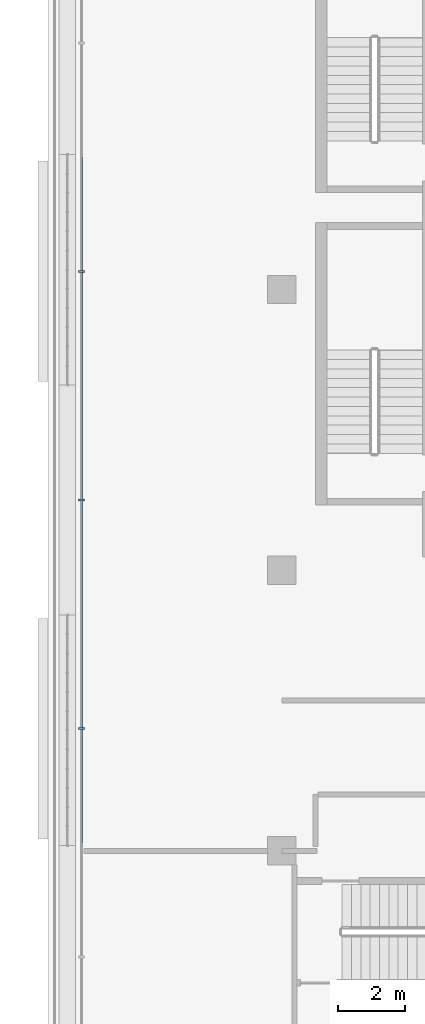
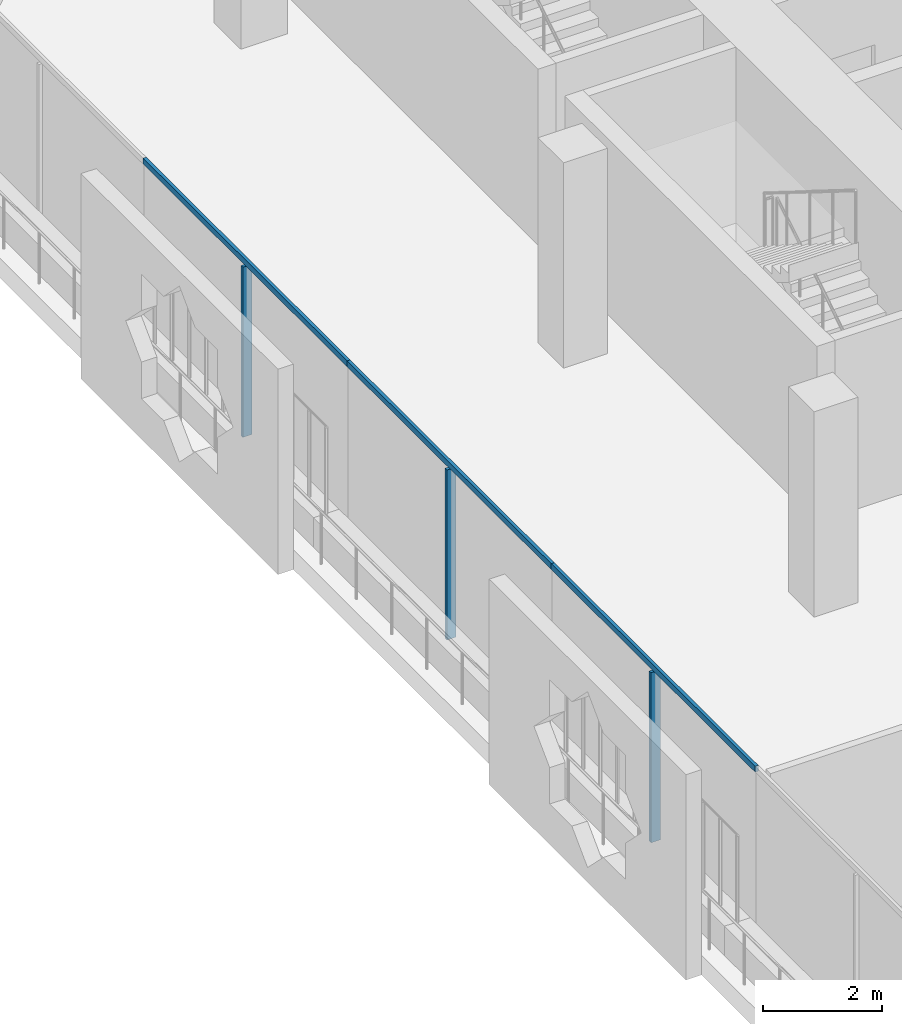
# One storey, part 3 of 21: 6 members, 1 element without a shape of its own.
"""IFC4 building model written with IfcOpenShell, lengths in metres."""

from ifc_helpers import new_model, si_unit, direction, frame, origin, origin_2d, place, context, subcontext, project, spatial, rectangle, extrude, material, layer, layer_set, material_profile, profile_set, type_object, element, aggregate, save


model = new_model("IFC4")

# Units and contexts
model_context = context("Model", 3, precision=1e-05, world=origin(), true_north=direction((0.0, 1.0)))
body_context = subcontext(model_context, "Body", "Model", "MODEL_VIEW")
ifc_project = project(units=[si_unit("LENGTHUNIT", "METRE"), si_unit("AREAUNIT", "SQUARE_METRE"), si_unit("VOLUMEUNIT", "CUBIC_METRE"), si_unit("PLANEANGLEUNIT", "RADIAN"), si_unit("MASSUNIT", "GRAM", prefix="KILO")], contexts=[model_context])

# Site, building, storey
site_placement = place(None, origin())
site = spatial("IfcSite", under=ifc_project, at=site_placement, CompositionType="ELEMENT")
building_placement = place(site_placement, origin())
building = spatial("IfcBuilding", under=site, at=building_placement, Name="Kawkab Arch Medical Tower", CompositionType="ELEMENT")
storey_placement = place(building_placement, frame((0.0, 0.0, 243.199951171875)))
storey = spatial("IfcBuildingStorey", under=building, at=storey_placement, Name="L56", CompositionType="ELEMENT", Elevation=243.199951171875)

# Curtain wall, members
ifc_material_1 = material(Name="Bronze anodised aluminium curtain wall frame", Category="aluminium")
ifc_layer = layer(ifc_material_1, 0.159912109375)
ifc_layer_set = layer_set([ifc_layer], Name="Bronze anodised aluminium curtain wall frame")
curtain_wall_type = type_object("IfcCurtainWallType", Name="CW1 ward curtain wall", PredefinedType="NOTDEFINED", material=ifc_layer_set)
curtain_wall_placement = place(storey_placement, origin())
curtain_wall = element("IfcCurtainWall", 1, at=curtain_wall_placement, inside=storey, type_object=curtain_wall_type, Name="CW1 Ward curtain wall R01", PredefinedType="NOTDEFINED")
ifc_material_2 = material(Name="Bronze anodised aluminium curtain wall frame", Category="aluminium")
ifc_material_profile_1 = material_profile(ifc_material_2, rectangle(XDim=0.179931640625, YDim=0.06005859375, at=origin_2d()), Name="AL 60x180")
ifc_profile_set_1 = profile_set([ifc_material_profile_1], Name="Bronze anodised aluminium curtain wall frame")
member_type_1 = type_object("IfcMemberType", Name="CW1 mullion 60 x 180", PredefinedType="MULLION", material=ifc_profile_set_1)
member_1_placement = place(storey_placement, frame((-6.0, -16.260009765625, 0.0), z_axis=(0.0, 0.0, 1.0), x_axis=(1.0, 0.0, 0.0)))
member_1 = element("IfcMember", 2, at=member_1_placement, type_object=member_type_1, Name="CW1 mullion 2.1", PredefinedType="MULLION", context=body_context, shape_type="SweptSolid", body=[
    extrude(rectangle(XDim=0.179931640625, YDim=0.06005859375, at=origin_2d()), origin(), (0.0, 0.0, 1.0), 3.47998046875),
])
member_2_placement = place(storey_placement, frame((-6.0, -23.10009765625, 0.0), z_axis=(0.0, 0.0, 1.0), x_axis=(1.0, 0.0, 0.0)))
member_2 = element("IfcMember", 3, at=member_2_placement, type_object=member_type_1, Name="CW1 mullion 3.1", PredefinedType="MULLION", context=body_context, shape_type="SweptSolid", body=[
    extrude(rectangle(XDim=0.179931640625, YDim=0.06005859375, at=origin_2d()), origin(), (0.0, 0.0, 1.0), 3.47998046875),
])
member_3_placement = place(storey_placement, frame((-6.0, -29.93994140625, 0.0), z_axis=(0.0, 0.0, 1.0), x_axis=(1.0, 0.0, 0.0)))
member_3 = element("IfcMember", 4, at=member_3_placement, type_object=member_type_1, Name="CW1 mullion 4.1", PredefinedType="MULLION", context=body_context, shape_type="SweptSolid", body=[
    extrude(rectangle(XDim=0.179931640625, YDim=0.06005859375, at=origin_2d()), origin(), (0.0, 0.0, 1.0), 3.47998046875),
])
ifc_material_3 = material(Name="Bronze anodised aluminium curtain wall frame", Category="aluminium")
ifc_material_profile_2 = material_profile(ifc_material_3, rectangle(XDim=0.06005859375, YDim=0.1201171875, at=origin_2d()), Name="AL 60x120")
ifc_profile_set_2 = profile_set([ifc_material_profile_2], Name="Bronze anodised aluminium curtain wall frame")
member_type_2 = type_object("IfcMemberType", Name="CW1 transom 120 x 60", PredefinedType="USERDEFINED", material=ifc_profile_set_2)
member_4_placement = place(storey_placement, frame((-6.0, -12.840087890625, 3.5400390625), z_axis=(0.0, -1.0, 0.0), x_axis=(1.0, 0.0, 0.0)))
member_4 = element("IfcMember", 5, at=member_4_placement, type_object=member_type_2, Name="CW1 transom 2", ObjectType="TRANSOM", PredefinedType="USERDEFINED", context=body_context, shape_type="SweptSolid", body=[
    extrude(rectangle(XDim=0.06005859375, YDim=0.1201171875, at=origin_2d()), origin(), (0.0, 0.0, 1.0), 6.83984375),
])
member_5_placement = place(storey_placement, frame((-6.0, -19.679931640625, 3.5400390625), z_axis=(0.0, -1.0, 0.0), x_axis=(1.0, 0.0, 0.0)))
member_5 = element("IfcMember", 6, at=member_5_placement, type_object=member_type_2, Name="CW1 transom 3", ObjectType="TRANSOM", PredefinedType="USERDEFINED", context=body_context, shape_type="SweptSolid", body=[
    extrude(rectangle(XDim=0.06005859375, YDim=0.1201171875, at=origin_2d()), origin(), (0.0, 0.0, 1.0), 6.840087890625),
])
member_6_placement = place(storey_placement, frame((-6.0, -26.52001953125, 3.5400390625), z_axis=(0.0, -1.0, 0.0), x_axis=(1.0, 0.0, 0.0)))
member_6 = element("IfcMember", 7, at=member_6_placement, type_object=member_type_2, Name="CW1 transom 4", ObjectType="TRANSOM", PredefinedType="USERDEFINED", context=body_context, shape_type="SweptSolid", body=[
    extrude(rectangle(XDim=0.06005859375, YDim=0.1201171875, at=origin_2d()), origin(), (0.0, 0.0, 1.0), 6.840087890625),
])
aggregate(curtain_wall, [member_4, member_1, member_5, member_2, member_6, member_3])

save(model, "model.ifc")
